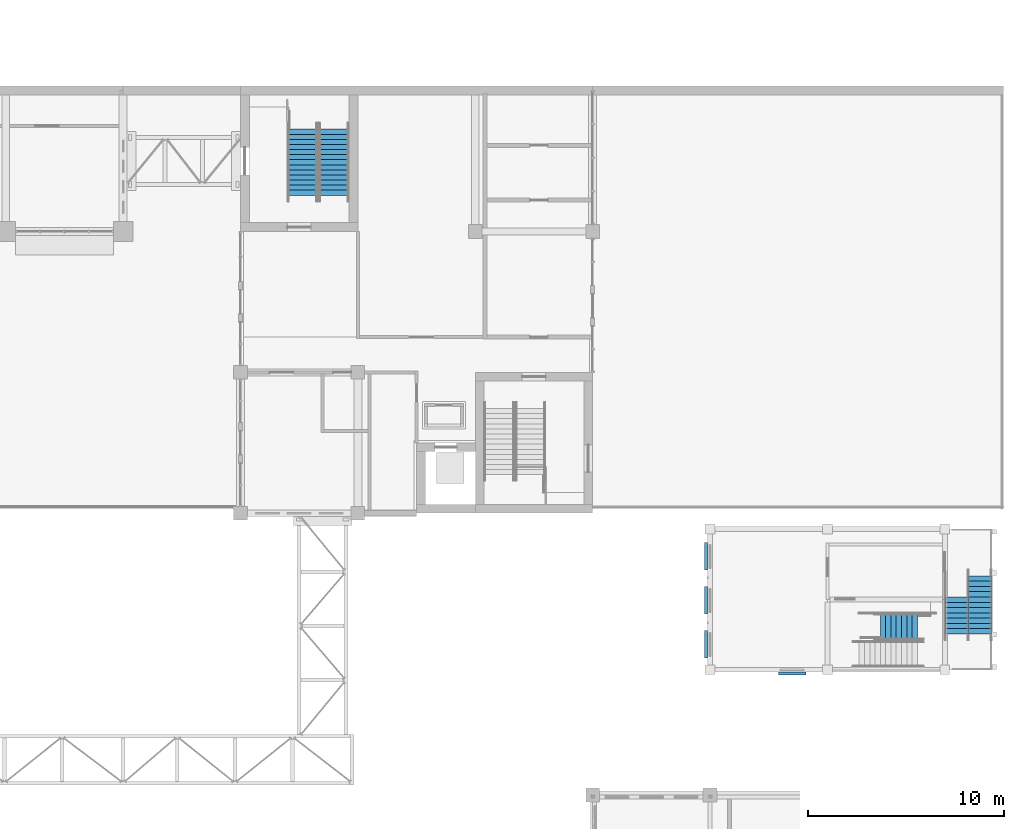
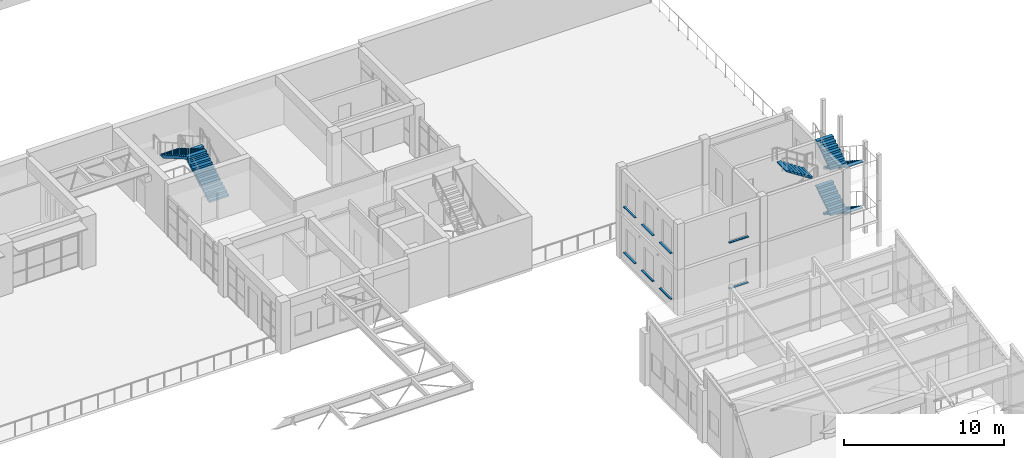
# One storey, part 76 of 103: 8 discrete accessories, 7 stair flights, 4 elements without a shape of their own.
"""IFC4 building model written with IfcOpenShell, lengths in metres."""

from ifc_helpers import new_model, si_unit, direction, frame, origin, origin_2d, place, context, subcontext, project, spatial, polyline, rectangle, outline, extrude, material, type_object, element, aggregate, save


model = new_model("IFC4")

# Units and contexts
model_context = context("Model", 3, precision=1e-05, world=origin(), true_north=direction((0.0, 1.0)))
body_context = subcontext(model_context, "Body", "Model", "MODEL_VIEW")
ifc_project = project(units=[si_unit("LENGTHUNIT", "METRE"), si_unit("AREAUNIT", "SQUARE_METRE"), si_unit("VOLUMEUNIT", "CUBIC_METRE"), si_unit("PLANEANGLEUNIT", "RADIAN"), si_unit("MASSUNIT", "GRAM", prefix="KILO")], contexts=[model_context])

# Site, building, storey
site_placement = place(None, origin())
site = spatial("IfcSite", under=ifc_project, at=site_placement, CompositionType="ELEMENT")
building_placement = place(site_placement, origin())
building = spatial("IfcBuilding", under=site, at=building_placement, Name="Laocheng Heights Fire and Rescue Headquarters", CompositionType="ELEMENT")
storey_placement = place(building_placement, frame((0.0, 0.0, 4.199951171875)))
storey = spatial("IfcBuildingStorey", under=building, at=storey_placement, Name="L01", CompositionType="ELEMENT", Elevation=4.199951171875)

# Stair, stair flight
ifc_material_1 = material(Name="Concrete C40", Category="concrete")
stair_type_1 = type_object("IfcStairType", Name="RC STAIR 1200 TWO FLIGHTS 20 RISERS OF 175 GOING 270", PredefinedType="HALF_TURN_STAIR", material=ifc_material_1)
stair_1_placement = place(storey_placement, origin())
stair_1 = element("IfcStair", 1, at=stair_1_placement, inside=storey, type_object=stair_type_1, Name="Stair T1 (F3 to F4)", PredefinedType="HALF_TURN_STAIR")
ifc_material_2 = material(Name="Concrete C40", Category="concrete")
stair_flight_type_1 = type_object("IfcStairFlightType", Name="RC STAIR FLIGHT 1200 RISERS OF 175 GOING 270", PredefinedType="STRAIGHT", material=ifc_material_2)
stair_flight_1_placement = place(storey_placement, frame((124.594970703125, 30.199951171875, 4.902099609375), z_axis=(0.0, 0.0, 1.0), x_axis=(-1.0, 0.0, 0.0)))
stair_flight_1 = element("IfcStairFlight", 2, at=stair_flight_1_placement, type_object=stair_flight_type_1, Name="T1-F3 flight 2", NumberOfRisers=8, NumberOfTreads=7, PredefinedType="STRAIGHT", RiserHeight=0.175, TreadLength=0.27, context=body_context, shape_type="SweptSolid", body=[
    extrude(outline(polyline([(0.0, 0.0), (0.0, 0.175048828125), (0.27001953125, 0.175048828125), (0.27001953125, 0.35009765625), (0.5400390625, 0.35009765625), (0.5400390625, 0.52490234375), (0.81005859375, 0.52490234375), (0.81005859375, 0.699951171875), (1.080078125, 0.699951171875), (1.080078125, 0.875), (1.35009765625, 0.875), (1.35009765625, 1.050048828125), (1.6201171875, 1.050048828125), (1.6201171875, 1.22509765625), (1.889892578125, 1.22509765625), (1.889892578125, 1.39990234375), (1.889892578125, 1.165283203125), (0.092041015625, 0.0), (0.0, 0.0)])), frame((0.0, 0.60009765625, 0.0), z_axis=(0.0, -1.0, 0.0), x_axis=(1.0, 0.0, 0.0)), (0.0, 0.0, 1.0), 1.199951171875),
])
aggregate(stair_1, [stair_flight_1])

# Stair, stair flights
stair_2_placement = place(storey_placement, origin())
stair_2 = element("IfcStair", 3, at=stair_2_placement, inside=storey, type_object=stair_type_1, Name="Stair T2 (F2 to F3)", PredefinedType="HALF_TURN_STAIR")
stair_flight_2_placement = place(storey_placement, frame((127.800048828125, 32.800048828125, -0.699951171875), z_axis=(0.0, 0.0, 1.0), x_axis=(0.0, -1.0, 0.0)))
stair_flight_2 = element("IfcStairFlight", 4, at=stair_flight_2_placement, type_object=stair_flight_type_1, Name="T2-F2 flight 1", NumberOfRisers=12, NumberOfTreads=11, PredefinedType="STRAIGHT", RiserHeight=0.175, TreadLength=0.27, context=body_context, shape_type="SweptSolid", body=[
    extrude(outline(polyline([(0.0, 0.0), (0.0, 0.175048828125), (0.27001953125, 0.175048828125), (0.27001953125, 0.35009765625), (0.5400390625, 0.35009765625), (0.5400390625, 0.52490234375), (0.81005859375, 0.52490234375), (0.81005859375, 0.699951171875), (1.080078125, 0.699951171875), (1.080078125, 0.875), (1.35009765625, 0.875), (1.35009765625, 1.050048828125), (1.6201171875, 1.050048828125), (1.6201171875, 1.22509765625), (1.889892578125, 1.22509765625), (1.889892578125, 1.39990234375), (2.159912109375, 1.39990234375), (2.159912109375, 1.574951171875), (2.429931640625, 1.574951171875), (2.429931640625, 1.75), (2.699951171875, 1.75), (2.699951171875, 1.925048828125), (2.969970703125, 1.925048828125), (2.969970703125, 2.10009765625), (2.969970703125, 1.865478515625), (0.092041015625, 0.0), (0.0, 0.0)])), frame((0.0, 0.60009765625, 0.0), z_axis=(0.0, -1.0, 0.0), x_axis=(1.0, 0.0, 0.0)), (0.0, 0.0, 1.0), 1.199951171875),
])
stair_flight_3_placement = place(storey_placement, frame((126.60009765625, 29.830078125, 1.402099609375), z_axis=(0.0, 0.0, 1.0), x_axis=(0.0, 1.0, 0.0)))
stair_flight_3 = element("IfcStairFlight", 5, at=stair_flight_3_placement, type_object=stair_flight_type_1, Name="T2-F2 flight 2", NumberOfRisers=8, NumberOfTreads=7, PredefinedType="STRAIGHT", RiserHeight=0.175, TreadLength=0.27, context=body_context, shape_type="SweptSolid", body=[
    extrude(outline(polyline([(0.0, 0.0), (0.0, 0.175048828125), (0.27001953125, 0.175048828125), (0.27001953125, 0.35009765625), (0.5400390625, 0.35009765625), (0.5400390625, 0.52490234375), (0.81005859375, 0.52490234375), (0.81005859375, 0.699951171875), (1.080078125, 0.699951171875), (1.080078125, 0.875), (1.35009765625, 0.875), (1.35009765625, 1.050048828125), (1.6201171875, 1.050048828125), (1.6201171875, 1.22509765625), (1.889892578125, 1.22509765625), (1.889892578125, 1.39990234375), (1.889892578125, 1.165283203125), (0.092041015625, 0.0), (0.0, 0.0)])), frame((0.0, 0.60009765625, 0.0), z_axis=(0.0, -1.0, 0.0), x_axis=(1.0, 0.0, 0.0)), (0.0, 0.0, 1.0), 1.199951171875),
])
aggregate(stair_2, [stair_flight_2, stair_flight_3])

stair_3_placement = place(storey_placement, origin())
stair_3 = element("IfcStair", 6, at=stair_3_placement, inside=storey, type_object=stair_type_1, Name="Stair T2 (F3 to F4)", PredefinedType="HALF_TURN_STAIR")
stair_flight_4_placement = place(storey_placement, frame((127.800048828125, 32.800048828125, 2.800048828125), z_axis=(0.0, 0.0, 1.0), x_axis=(0.0, -1.0, 0.0)))
stair_flight_4 = element("IfcStairFlight", 7, at=stair_flight_4_placement, type_object=stair_flight_type_1, Name="T2-F3 flight 1", NumberOfRisers=12, NumberOfTreads=11, PredefinedType="STRAIGHT", RiserHeight=0.175, TreadLength=0.27, context=body_context, shape_type="SweptSolid", body=[
    extrude(outline(polyline([(0.0, 0.0), (0.0, 0.175048828125), (0.27001953125, 0.175048828125), (0.27001953125, 0.35009765625), (0.5400390625, 0.35009765625), (0.5400390625, 0.52490234375), (0.81005859375, 0.52490234375), (0.81005859375, 0.699951171875), (1.080078125, 0.699951171875), (1.080078125, 0.875), (1.35009765625, 0.875), (1.35009765625, 1.050048828125), (1.6201171875, 1.050048828125), (1.6201171875, 1.22509765625), (1.889892578125, 1.22509765625), (1.889892578125, 1.39990234375), (2.159912109375, 1.39990234375), (2.159912109375, 1.574951171875), (2.429931640625, 1.574951171875), (2.429931640625, 1.75), (2.699951171875, 1.75), (2.699951171875, 1.925048828125), (2.969970703125, 1.925048828125), (2.969970703125, 2.10009765625), (2.969970703125, 1.865478515625), (0.092041015625, 0.0), (0.0, 0.0)])), frame((0.0, 0.60009765625, 0.0), z_axis=(0.0, -1.0, 0.0), x_axis=(1.0, 0.0, 0.0)), (0.0, 0.0, 1.0), 1.199951171875),
])
stair_flight_5_placement = place(storey_placement, frame((126.60009765625, 29.830078125, 4.902099609375), z_axis=(0.0, 0.0, 1.0), x_axis=(0.0, 1.0, 0.0)))
stair_flight_5 = element("IfcStairFlight", 8, at=stair_flight_5_placement, type_object=stair_flight_type_1, Name="T2-F3 flight 2", NumberOfRisers=8, NumberOfTreads=7, PredefinedType="STRAIGHT", RiserHeight=0.175, TreadLength=0.27, context=body_context, shape_type="SweptSolid", body=[
    extrude(outline(polyline([(0.0, 0.0), (0.0, 0.175048828125), (0.27001953125, 0.175048828125), (0.27001953125, 0.35009765625), (0.5400390625, 0.35009765625), (0.5400390625, 0.52490234375), (0.81005859375, 0.52490234375), (0.81005859375, 0.699951171875), (1.080078125, 0.699951171875), (1.080078125, 0.875), (1.35009765625, 0.875), (1.35009765625, 1.050048828125), (1.6201171875, 1.050048828125), (1.6201171875, 1.22509765625), (1.889892578125, 1.22509765625), (1.889892578125, 1.39990234375), (1.889892578125, 1.165283203125), (0.092041015625, 0.0), (0.0, 0.0)])), frame((0.0, 0.60009765625, 0.0), z_axis=(0.0, -1.0, 0.0), x_axis=(1.0, 0.0, 0.0)), (0.0, 0.0, 1.0), 1.199951171875),
])
aggregate(stair_3, [stair_flight_4, stair_flight_5])

ifc_material_3 = material(Name="Concrete C40", Category="concrete")
stair_type_2 = type_object("IfcStairType", Name="RC STAIR 1400 TWO FLIGHTS 28 RISERS OF 150 GOING 260", PredefinedType="HALF_TURN_STAIR", material=ifc_material_3)
stair_4_placement = place(storey_placement, origin())
stair_4 = element("IfcStair", 9, at=stair_4_placement, inside=storey, type_object=stair_type_2, Name="Stair C2 (L01 to L02)", PredefinedType="HALF_TURN_STAIR")
ifc_material_4 = material(Name="Concrete C40", Category="concrete")
stair_flight_type_2 = type_object("IfcStairFlightType", Name="RC STAIR FLIGHT 1400 RISERS OF 150 GOING 260", PredefinedType="STRAIGHT", material=ifc_material_4)
stair_flight_6_placement = place(storey_placement, frame((94.77490234375, 52.25, 0.0), z_axis=(0.0, 0.0, 1.0), x_axis=(0.0, 1.0, 0.0)))
stair_flight_6 = element("IfcStairFlight", 10, at=stair_flight_6_placement, type_object=stair_flight_type_2, Name="C2-L01 flight 1", NumberOfRisers=14, NumberOfTreads=13, PredefinedType="STRAIGHT", RiserHeight=0.15, TreadLength=0.26, context=body_context, shape_type="SweptSolid", body=[
    extrude(outline(polyline([(0.0, 0.0), (0.0, 0.14990234375), (0.260009765625, 0.14990234375), (0.260009765625, 0.300048828125), (0.52001953125, 0.300048828125), (0.52001953125, 0.449951171875), (0.780029296875, 0.449951171875), (0.780029296875, 0.60009765625), (1.0400390625, 0.60009765625), (1.0400390625, 0.75), (1.300048828125, 0.75), (1.300048828125, 0.89990234375), (1.56005859375, 0.89990234375), (1.56005859375, 1.050048828125), (1.820068359375, 1.050048828125), (1.820068359375, 1.199951171875), (2.080078125, 1.199951171875), (2.080078125, 1.35009765625), (2.340087890625, 1.35009765625), (2.340087890625, 1.5), (2.60009765625, 1.5), (2.60009765625, 1.64990234375), (2.860107421875, 1.64990234375), (2.860107421875, 1.800048828125), (3.1201171875, 1.800048828125), (3.1201171875, 1.949951171875), (3.3798828125, 1.949951171875), (3.3798828125, 2.10009765625), (3.3798828125, 1.77685546875), (0.300048828125, 0.0), (0.0, 0.0)])), frame((0.0, 0.699951171875, 0.0), z_axis=(0.0, -1.0, 0.0), x_axis=(1.0, 0.0, 0.0)), (0.0, 0.0, 1.0), 1.39990234375),
])
stair_flight_7_placement = place(storey_placement, frame((93.175048828125, 55.6298828125, 2.10205078125), z_axis=(0.0, 0.0, 1.0), x_axis=(0.0, -1.0, 0.0)))
stair_flight_7 = element("IfcStairFlight", 11, at=stair_flight_7_placement, type_object=stair_flight_type_2, Name="C2-L01 flight 2", NumberOfRisers=14, NumberOfTreads=13, PredefinedType="STRAIGHT", RiserHeight=0.15, TreadLength=0.26, context=body_context, shape_type="SweptSolid", body=[
    extrude(outline(polyline([(0.0, 0.0), (0.0, 0.14990234375), (0.260009765625, 0.14990234375), (0.260009765625, 0.300048828125), (0.52001953125, 0.300048828125), (0.52001953125, 0.449951171875), (0.780029296875, 0.449951171875), (0.780029296875, 0.60009765625), (1.0400390625, 0.60009765625), (1.0400390625, 0.75), (1.300048828125, 0.75), (1.300048828125, 0.89990234375), (1.56005859375, 0.89990234375), (1.56005859375, 1.050048828125), (1.820068359375, 1.050048828125), (1.820068359375, 1.199951171875), (2.080078125, 1.199951171875), (2.080078125, 1.35009765625), (2.340087890625, 1.35009765625), (2.340087890625, 1.5), (2.60009765625, 1.5), (2.60009765625, 1.64990234375), (2.860107421875, 1.64990234375), (2.860107421875, 1.800048828125), (3.1201171875, 1.800048828125), (3.1201171875, 1.949951171875), (3.3798828125, 1.949951171875), (3.3798828125, 2.10009765625), (3.3798828125, 1.77685546875), (0.300048828125, 0.0), (0.0, 0.0)])), frame((0.0, 0.699951171875, 0.0), z_axis=(0.0, -1.0, 0.0), x_axis=(1.0, 0.0, 0.0)), (0.0, 0.0, 1.0), 1.39990234375),
])
aggregate(stair_4, [stair_flight_6, stair_flight_7])

# Discrete accessories
ifc_material_5 = material(Name="Timber board, treated", Category="wood")
discrete_accessory_type = type_object("IfcDiscreteAccessoryType", Name="DRILL TIMBER SILL BOARD 150 x 50", PredefinedType="USERDEFINED", material=ifc_material_5)
for number, where, z_axis, x_axis, name in (
    (12, (113.800048828125, 29.300048828125, 0.0498046875), (0.0, 0.0, 1.0), (1.0, 0.0, 0.0), "Sill board F2 W"),
    (13, (113.800048828125, 31.550048828125, 0.0498046875), (0.0, 0.0, 1.0), (1.0, 0.0, 0.0), "Sill board F2 W"),
    (14, (113.800048828125, 33.800048828125, 0.0498046875), (0.0, 0.0, 1.0), (1.0, 0.0, 0.0), "Sill board F2 W"),
    (15, (113.800048828125, 29.300048828125, 3.5498046875), (0.0, 0.0, 1.0), (1.0, 0.0, 0.0), "Sill board F3 W"),
    (16, (113.800048828125, 31.550048828125, 3.5498046875), (0.0, 0.0, 1.0), (1.0, 0.0, 0.0), "Sill board F3 W"),
    (17, (113.800048828125, 33.800048828125, 3.5498046875), (0.0, 0.0, 1.0), (1.0, 0.0, 0.0), "Sill board F3 W"),
):
    element("IfcDiscreteAccessory", number, at=place(storey_placement, frame(where, z_axis=z_axis, x_axis=x_axis)), inside=storey, type_object=discrete_accessory_type, Name=name, ObjectType="SILL BOARD", PredefinedType="USERDEFINED", context=body_context, shape_type="SweptSolid", body=[
        extrude(rectangle(XDim=0.14990234375, YDim=1.39990234375, at=origin_2d()), origin(), (0.0, 0.0, 1.0), 0.050048828125),
    ])
for number, where, z_axis, x_axis, name in (
    (18, (118.199951171875, 27.800048828125, 0.0498046875), (0.0, 0.0, 1.0), (1.0, 0.0, 0.0), "Sill board F2 S"),
    (19, (118.199951171875, 27.800048828125, 3.5498046875), (0.0, 0.0, 1.0), (1.0, 0.0, 0.0), "Sill board F3 S"),
):
    element("IfcDiscreteAccessory", number, at=place(storey_placement, frame(where, z_axis=z_axis, x_axis=x_axis)), inside=storey, type_object=discrete_accessory_type, Name=name, ObjectType="SILL BOARD", PredefinedType="USERDEFINED", context=body_context, shape_type="SweptSolid", body=[
        extrude(rectangle(XDim=1.39990234375, YDim=0.14990234375, at=origin_2d()), origin(), (0.0, 0.0, 1.0), 0.050048828125),
    ])

save(model, "model.ifc")
